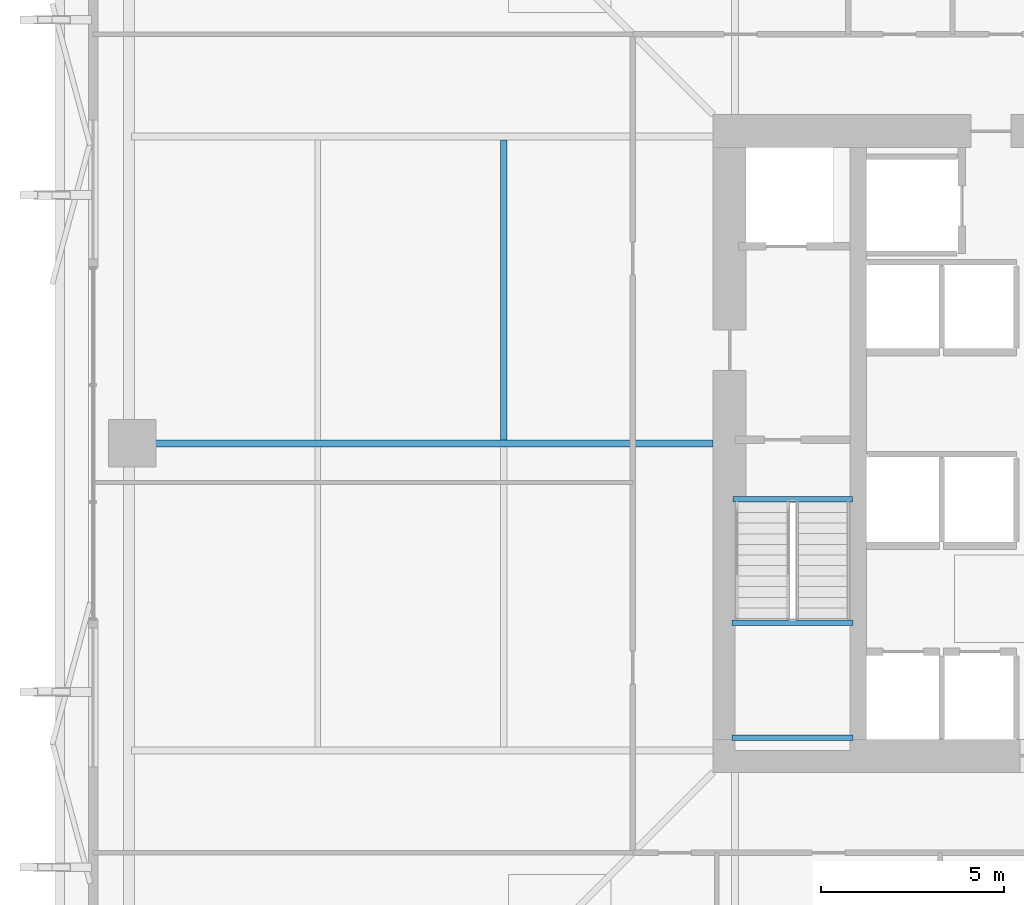
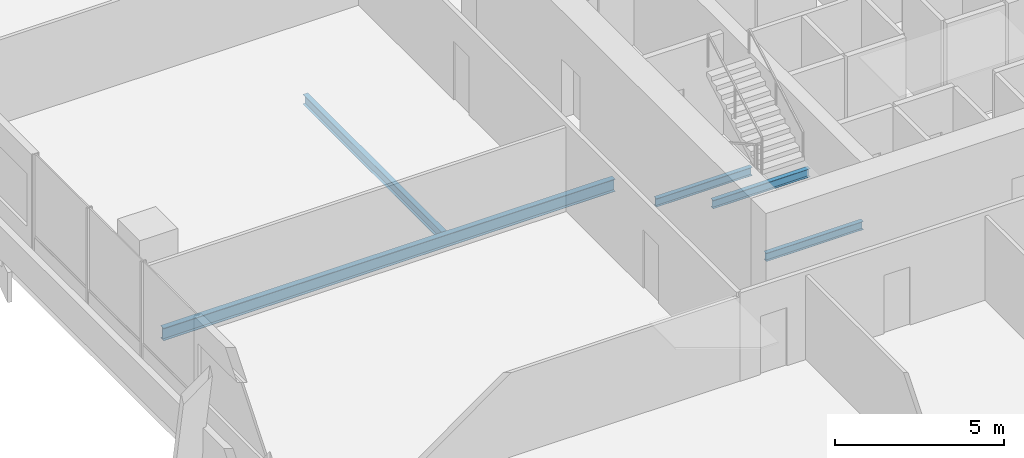
# One storey, part 10 of 34: 5 beams.
"""IFC4 building model written with IfcOpenShell, lengths in metres."""

from ifc_helpers import new_model, si_unit, direction, frame, origin, origin_2d, place, context, subcontext, project, spatial, i_section, extrude, material, material_profile, profile_set, type_object, element, save


model = new_model("IFC4")

# Units and contexts
model_context = context("Model", 3, precision=1e-05, world=origin(), true_north=direction((0.0, 1.0)))
body_context = subcontext(model_context, "Body", "Model", "MODEL_VIEW")
ifc_project = project(units=[si_unit("LENGTHUNIT", "METRE"), si_unit("AREAUNIT", "SQUARE_METRE"), si_unit("VOLUMEUNIT", "CUBIC_METRE"), si_unit("PLANEANGLEUNIT", "RADIAN"), si_unit("MASSUNIT", "GRAM", prefix="KILO")], contexts=[model_context])

# Site, building, storey
site_placement = place(None, origin())
site = spatial("IfcSite", under=ifc_project, at=site_placement, CompositionType="ELEMENT")
building_placement = place(site_placement, origin())
building = spatial("IfcBuilding", under=site, at=building_placement, Name="Belovzor Exchange Tower", CompositionType="ELEMENT")
storey_placement = place(building_placement, frame((0.0, 0.0, 113.39990234375)))
storey = spatial("IfcBuildingStorey", under=building, at=storey_placement, Name="L27", CompositionType="ELEMENT", Elevation=113.39990234375)

# Beams
ifc_material_1 = material(Name="Steel S355", Category="steel")
ifc_material_profile_1 = material_profile(ifc_material_1, i_section(OverallWidth=0.169921875, OverallDepth=0.360107421875, WebThickness=0.008056640625, FlangeThickness=0.0126953125, at=origin_2d()))
ifc_profile_set_1 = profile_set([ifc_material_profile_1], Name="Steel S355")
beam_type_1 = type_object("IfcBeamType", Name="Secondary Infill Floor Joist IPE 360", PredefinedType="BEAM", material=ifc_profile_set_1)
beam_1_placement = place(storey_placement, frame((14.070068359375, 28.89501953125, -0.429931640625), z_axis=(0.0, 1.0, 0.0), x_axis=(-1.0, 0.0, 0.0)))
element("IfcBeam", 1, at=beam_1_placement, inside=storey, type_object=beam_type_1, Name="FJ-360 Secondary Infill Floor Joist IPE 360", PredefinedType="BEAM", context=body_context, shape_type="SweptSolid", body=[
    extrude(i_section(OverallWidth=0.169921875, OverallDepth=0.360107421875, WebThickness=0.008056640625, FlangeThickness=0.0126953125, at=origin_2d()), origin(), (0.0, 0.0, 1.0), 8.2099609375),
])
ifc_material_2 = material(Name="Steel S355", Category="steel")
ifc_material_profile_2 = material_profile(ifc_material_2, i_section(OverallWidth=0.14990234375, OverallDepth=0.300048828125, WebThickness=0.007080078125, FlangeThickness=0.0107421875, at=origin_2d()))
ifc_profile_set_2 = profile_set([ifc_material_profile_2], Name="Steel S355")
beam_type_2 = type_object("IfcBeamType", Name="Secondary Trim Floor Joist IPE 300", PredefinedType="BEAM", material=ifc_profile_set_2)
for number, where, z_axis, x_axis, name in (
    (2, (20.320068359375, 23.889892578125, 1.60009765625), (1.0, 0.0, 0.0), (0.0, 1.0, 0.0), "FJ-300 Secondary Trim Floor Joist IPE 300"),
    (3, (20.320068359375, 20.75, 1.60009765625), (1.0, 0.0, 0.0), (0.0, 1.0, 0.0), "FJ-300 Secondary Trim Floor Joist IPE 300"),
):
    element("IfcBeam", number, at=place(storey_placement, frame(where, z_axis=z_axis, x_axis=x_axis)), inside=storey, type_object=beam_type_2, Name=name, PredefinedType="BEAM", context=body_context, shape_type="SweptSolid", body=[
        extrude(i_section(OverallWidth=0.14990234375, OverallDepth=0.300048828125, WebThickness=0.007080078125, FlangeThickness=0.0107421875, at=origin_2d()), origin(), (0.0, 0.0, 1.0), 3.309814453125),
    ])
beam_2_placement = place(storey_placement, frame((20.340087890625, 27.280029296875, -0.39990234375), z_axis=(1.0, 0.0, 0.0), x_axis=(0.0, 1.0, 0.0)))
element("IfcBeam", 4, at=beam_2_placement, inside=storey, type_object=beam_type_2, Name="FJ-300 Secondary Trim Floor Joist IPE 300", PredefinedType="BEAM", context=body_context, shape_type="SweptSolid", body=[
    extrude(i_section(OverallWidth=0.14990234375, OverallDepth=0.300048828125, WebThickness=0.007080078125, FlangeThickness=0.0107421875, at=origin_2d()), origin(), (0.0, 0.0, 1.0), 3.27001953125),
])
ifc_material_3 = material(Name="Steel S355", Category="steel")
ifc_material_profile_3 = material_profile(ifc_material_3, i_section(OverallWidth=0.18994140625, OverallDepth=0.449951171875, WebThickness=0.009521484375, FlangeThickness=0.0146484375, at=origin_2d()))
ifc_profile_set_3 = profile_set([ifc_material_profile_3], Name="Steel S355")
beam_type_3 = type_object("IfcBeamType", Name="Zone 2-4 Radial Composite Floor Beam IPE 450", PredefinedType="BEAM", material=ifc_profile_set_3)
beam_3_placement = place(storey_placement, frame((19.800048828125, 28.800048828125, -0.474853515625), z_axis=(-1.0, 0.0, 0.0), x_axis=(0.0, -1.0, 0.0)))
element("IfcBeam", 5, at=beam_3_placement, inside=storey, type_object=beam_type_3, Name="FB-450 Zone 2-4 Radial Composite Floor Beam IPE 450", PredefinedType="BEAM", context=body_context, shape_type="SweptSolid", body=[
    extrude(i_section(OverallWidth=0.18994140625, OverallDepth=0.449951171875, WebThickness=0.009521484375, FlangeThickness=0.0146484375, at=origin_2d()), origin(), (0.0, 0.0, 1.0), 15.406982421875),
])

save(model, "model.ifc")
